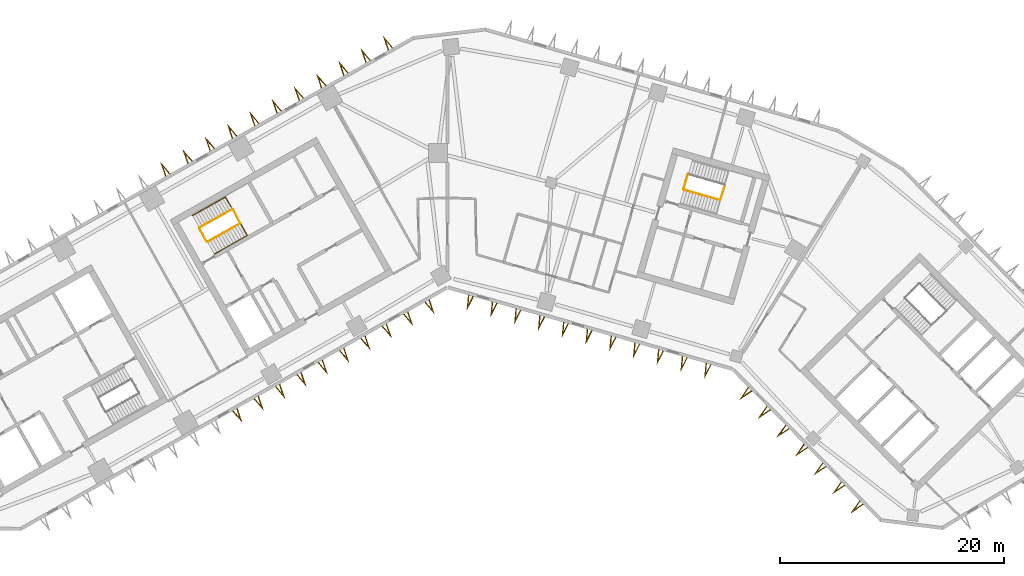
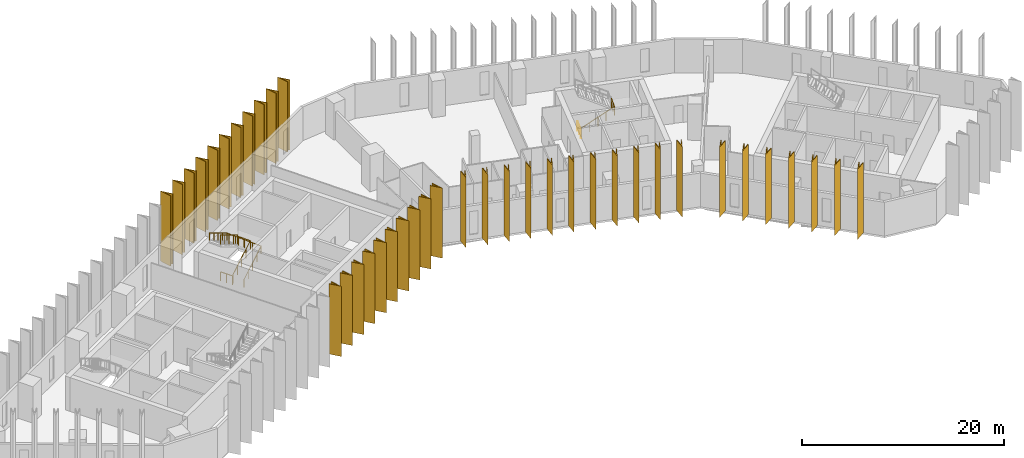
# One storey, part 10 of 11: 39 shading devices, 6 railings.
"""IFC4 building model written with IfcOpenShell, lengths in metres."""

import ifcopenshell
import ifcopenshell.guid

model = None  # the IFC model being written
_history = None  # IfcOwnerHistory: only IFC2X3 demands one
_inside = {}  # id of a spatial element -> (the spatial element, [elements in it])
_under = {}  # id of a project, library or spatial element -> (it, [spatial elements below it])
_declared = {}  # id of a project -> (the project, [libraries it declares])
_typed = {}  # id of a type object -> (the type object, [elements of that type])
_made_of = {}  # id of a material, layer set ... -> (it, [elements and type objects made of it])


def new_model(schema):
    """Start an empty IFC model of exactly this schema.

    Asked for "IFC4X3", IfcOpenShell would pick the latest addendum, in which some entities
    have other attributes; the version numbers below select the first issue.
    IFC2X3 requires an IfcOwnerHistory on every rooted entity: one is made here for all.
    """
    global model, _history
    if schema == "IFC4X3":
        model = ifcopenshell.file(schema_version=(4, 3, 0, 0))
    else:
        model = ifcopenshell.file(schema=schema)
    _inside.clear()
    _under.clear()
    _declared.clear()
    _typed.clear()
    _made_of.clear()
    _history = None
    if model.schema == "IFC2X3":
        org = make("IfcOrganization", Name="unknown")
        user = make(
            "IfcPersonAndOrganization",
            ThePerson=make("IfcPerson", FamilyName="unknown"),
            TheOrganization=org,
        )
        app = make(
            "IfcApplication",
            ApplicationDeveloper=org,
            Version="unknown",
            ApplicationFullName="unknown",
            ApplicationIdentifier="unknown",
        )
        _history = make(
            "IfcOwnerHistory",
            OwningUser=user,
            OwningApplication=app,
            ChangeAction="ADDED",
            CreationDate=0,
        )
    return model


def make(cls, **values):
    """One entity of the class cls with the attributes given. An attribute that is None is left unset."""
    return model.create_entity(
        cls, **{name: value for name, value in values.items() if value is not None}
    )


def rooted(cls, **values):
    """An entity with a GlobalId (a new one), such as an element, a storey or a relation."""
    return make(cls, GlobalId=ifcopenshell.guid.new(), OwnerHistory=_history, **values)


def si_unit(unit_type, name, prefix=None):
    """IfcSIUnit, for example si_unit("LENGTHUNIT", "METRE", prefix="MILLI")."""
    return make("IfcSIUnit", UnitType=unit_type, Prefix=prefix, Name=name)


def assignment(units):
    """IfcUnitAssignment: the units of a project."""
    return None if units is None else make("IfcUnitAssignment", Units=units)


def point(xyz):
    """IfcCartesianPoint."""
    return None if xyz is None else make("IfcCartesianPoint", Coordinates=xyz)


def direction(xyz):
    """IfcDirection."""
    return None if xyz is None else make("IfcDirection", DirectionRatios=xyz)


def frame(location, z_axis=None, x_axis=None):
    """IfcAxis2Placement3D, a coordinate frame: its origin and axes. An axis left out is left unset."""
    return make(
        "IfcAxis2Placement3D",
        Location=point(location),
        Axis=direction(z_axis),
        RefDirection=direction(x_axis),
    )


def frame_2d(location, x_axis=None):
    """IfcAxis2Placement2D, a coordinate frame in the plane: its origin and x axis."""
    return make(
        "IfcAxis2Placement2D", Location=point(location), RefDirection=direction(x_axis)
    )


def origin():
    """The frame at (0, 0, 0) with its axes left unset."""
    return frame((0.0, 0.0, 0.0))


def origin_2d():
    """The frame at (0, 0) in the plane with its x axis left unset."""
    return frame_2d((0.0, 0.0))


def place(relative_to, where):
    """IfcLocalPlacement: puts the frame where relative to a parent placement (None: the world)."""
    return make(
        "IfcLocalPlacement", PlacementRelTo=relative_to, RelativePlacement=where
    )


def context(
    kind, dimensions, precision=None, world=None, true_north=None, identifier=None
):
    """IfcGeometricRepresentationContext, for example the 3D "Model" context."""
    return make(
        "IfcGeometricRepresentationContext",
        ContextIdentifier=identifier,
        ContextType=kind,
        CoordinateSpaceDimension=dimensions,
        Precision=precision,
        WorldCoordinateSystem=world,
        TrueNorth=true_north,
    )


def subcontext(parent, identifier, kind, view, scale=None):
    """IfcGeometricRepresentationSubContext, for example "Body" below "Model"."""
    return make(
        "IfcGeometricRepresentationSubContext",
        ContextIdentifier=identifier,
        ContextType=kind,
        ParentContext=parent,
        TargetScale=scale,
        TargetView=view,
    )


def project(units=None, contexts=None):
    """IfcProject with its units and contexts."""
    return rooted(
        "IfcProject",
        Name="project",
        RepresentationContexts=contexts,
        UnitsInContext=assignment(units),
    )


def spatial(cls, under=None, at=None, **own):
    """A site, building, storey or space (cls), placed at a placement, below another one or the project."""
    s = rooted(cls, ObjectPlacement=at, **own)
    if under is not None:
        _under.setdefault(under.id(), (under, []))[1].append(s)
    return s


def polyline(points):
    """IfcPolyline through the points."""
    return make("IfcPolyline", Points=[point(p) for p in points])


def profile(cls, at=None, kind="AREA", **sizes):
    """A parametric profile (cls). Its sizes go by their IFC names, for example OverallWidth=200.0."""
    return make(cls, ProfileType=kind, Position=at, **sizes)


def circle(**sizes):
    """IfcCircleProfileDef."""
    return profile("IfcCircleProfileDef", **sizes)


def outline(outer, holes=None, kind="AREA"):
    """IfcArbitraryClosedProfileDef: a profile drawn as a closed curve; with holes, ...WithVoids."""
    if holes is None:
        return make("IfcArbitraryClosedProfileDef", ProfileType=kind, OuterCurve=outer)
    return make(
        "IfcArbitraryProfileDefWithVoids",
        ProfileType=kind,
        OuterCurve=outer,
        InnerCurves=holes,
    )


def extrude(swept, where, along, depth):
    """IfcExtrudedAreaSolid: the profile swept, set in the frame where, extruded along a direction by depth."""
    return make(
        "IfcExtrudedAreaSolid",
        SweptArea=swept,
        Position=where,
        ExtrudedDirection=direction(along),
        Depth=depth,
    )


def shape(context_of_items, identifier, shape_type, items):
    """IfcShapeRepresentation: the items that make up one representation, for example the "Body"."""
    return make(
        "IfcShapeRepresentation",
        ContextOfItems=context_of_items,
        RepresentationIdentifier=identifier,
        RepresentationType=shape_type,
        Items=items,
    )


def material(Name=None, Category=None):
    """IfcMaterial."""
    return make("IfcMaterial", Name=Name, Category=Category)


def made_of(thing, what):
    """Note that an element or type object is made of a material, layer set ...; save() writes the relation."""
    if what is not None:
        _made_of.setdefault(what.id(), (what, []))[1].append(thing)
    return thing


def type_object(cls, material=None, **own):
    """A type object (cls), such as IfcWallType, which elements share."""
    return made_of(rooted(cls, **own), material)


def element(
    cls,
    number,
    at=None,
    inside=None,
    cuts=None,
    type_object=None,
    material=None,
    context=None,
    identifier="Body",
    shape_type=None,
    held_by="IfcProductDefinitionShape",
    body=None,
    shapes=None,
    **own,
):
    """One element of the class cls, such as IfcWall. Its Tag is "e" and its number.

    at: its placement. inside: the storey or other place that contains it. cuts: it is an
    opening in that element (IfcRelVoidsElement). A single representation is given by context,
    identifier, shape_type and body (its items); several are given by shapes. held_by: the class
    of the entity that holds the representations. save() writes the other relations.
    """
    e = rooted(cls, Tag="e%d" % number, ObjectPlacement=at, **own)
    if body is not None:
        shapes = [shape(context, identifier, shape_type, body)]
    if shapes is not None:
        e.Representation = make(held_by, Representations=shapes)
    if inside is not None:
        _inside.setdefault(inside.id(), (inside, []))[1].append(e)
    if cuts is not None:
        rooted(
            "IfcRelVoidsElement", RelatingBuildingElement=cuts, RelatedOpeningElement=e
        )
    if type_object is not None:
        _typed.setdefault(type_object.id(), (type_object, []))[1].append(e)
    return made_of(e, material)


def aggregate(whole, parts):
    """IfcRelAggregates: a whole, such as a stair, and the parts it consists of."""
    return rooted("IfcRelAggregates", RelatingObject=whole, RelatedObjects=parts)


def save(model, path):
    """Write the relations noted so far, then the file.

    IfcRelAggregates (storeys below a building ...), IfcRelContainedInSpatialStructure (elements
    in a storey), IfcRelDefinesByType, IfcRelAssociatesMaterial and IfcRelDeclares: one each for
    every whole, place, type object, material and project.
    """
    for whole, parts in _under.values():
        aggregate(whole, parts)
    for where, things in _inside.values():
        rooted(
            "IfcRelContainedInSpatialStructure",
            RelatedElements=things,
            RelatingStructure=where,
        )
    for kind, things in _typed.values():
        rooted("IfcRelDefinesByType", RelatedObjects=things, RelatingType=kind)
    for what, things in _made_of.values():
        rooted("IfcRelAssociatesMaterial", RelatedObjects=things, RelatingMaterial=what)
    for by, libraries in _declared.values():
        rooted("IfcRelDeclares", RelatingContext=by, RelatedDefinitions=libraries)
    model.write(path)


model = new_model("IFC4")

# Units and contexts
model_context = context("Model", 3, precision=1e-05, world=origin(), true_north=direction((0.0, 1.0)))
body_context = subcontext(model_context, "Body", "Model", "MODEL_VIEW")
ifc_project = project(units=[si_unit("LENGTHUNIT", "METRE"), si_unit("AREAUNIT", "SQUARE_METRE"), si_unit("VOLUMEUNIT", "CUBIC_METRE"), si_unit("PLANEANGLEUNIT", "RADIAN"), si_unit("MASSUNIT", "GRAM", prefix="KILO")], contexts=[model_context])

# Site, building, storey
site_placement = place(None, origin())
site = spatial("IfcSite", under=ifc_project, at=site_placement, CompositionType="ELEMENT")
building_placement = place(site_placement, origin())
building = spatial("IfcBuilding", under=site, at=building_placement, Name="Binnacle Exchange Tower", CompositionType="ELEMENT")
storey_placement = place(building_placement, frame((0.0, 0.0, 97.10009765625)))
storey = spatial("IfcBuildingStorey", under=building, at=storey_placement, Name="L19", CompositionType="ELEMENT", Elevation=97.10009765625)

# Railings
ifc_material_1 = material(Name="Steel guard rail", Category="steel")
railing_type_1 = type_object("IfcRailingType", Name="STAIR GUARD 1100", PredefinedType="GUARDRAIL", material=ifc_material_1)
railing_1_placement = place(storey_placement, frame((-21.423828125, 52.07275390625, 0.169189453125)))
element("IfcRailing", 1, at=railing_1_placement, inside=storey, type_object=railing_type_1, Name="L19 STC1 stair guard 1", PredefinedType="GUARDRAIL", context=body_context, shape_type="SweptSolid", body=[
    extrude(circle(Radius=0.02392578125, at=origin_2d()), frame((0.0, 0.0, 1.076171875), z_axis=(0.744895141965, 0.421417011194, 0.517241655469), x_axis=(-0.49240197835, 0.870367905955, 0.0)), (0.0, 0.0, 1.0), 3.926025390625),
    extrude(circle(Radius=0.02392578125, at=origin_2d()), frame((2.924560546875, 1.654541015625, 3.10693359375), z_axis=(-0.461171632143, 0.887310952094, 0.0), x_axis=(-0.887310952094, -0.461171632143, 0.0)), (0.0, 0.0, 1.0), 1.40087890625),
    extrude(circle(Radius=0.02099609375, at=origin_2d()), origin(), (0.0, 0.0, 1.0), 1.052001953125),
    extrude(circle(Radius=0.02099609375, at=origin_2d()), frame((0.731201171875, 0.41357421875, 0.5078125)), (0.0, 0.0, 1.0), 1.052001953125),
    extrude(circle(Radius=0.02099609375, at=origin_2d()), frame((1.46240234375, 0.8271484375, 1.015380859375)), (0.0, 0.0, 1.0), 1.052001953125),
    extrude(circle(Radius=0.02099609375, at=origin_2d()), frame((2.193359375, 1.240966796875, 1.52294921875)), (0.0, 0.0, 1.0), 1.052001953125),
    extrude(circle(Radius=0.02099609375, at=origin_2d()), frame((2.924560546875, 1.654541015625, 2.03076171875)), (0.0, 0.0, 1.0), 1.052001953125),
    extrude(circle(Radius=0.02099609375, at=origin_2d()), frame((2.6015625, 2.27587890625, 2.03076171875)), (0.0, 0.0, 1.0), 1.052001953125),
    extrude(circle(Radius=0.02099609375, at=origin_2d()), frame((2.278564453125, 2.8974609375, 2.03076171875)), (0.0, 0.0, 1.0), 1.052001953125),
])
railing_2_placement = place(storey_placement, frame((-19.21337890625, 54.9892578125, 2.369140625)))
element("IfcRailing", 2, at=railing_2_placement, inside=storey, type_object=railing_type_1, Name="L19 STC1 stair guard 2", PredefinedType="GUARDRAIL", context=body_context, shape_type="SweptSolid", body=[
    extrude(circle(Radius=0.02392578125, at=origin_2d()), frame((0.0, 0.0, 1.076171875), z_axis=(-0.744867460262, -0.421436531824, 0.517265614832), x_axis=(0.492433119026, -0.870350287693, 0.0)), (0.0, 0.0, 1.0), 3.926025390625),
    extrude(circle(Radius=0.02099609375, at=origin_2d()), origin(), (0.0, 0.0, 1.0), 1.052001953125),
    extrude(circle(Radius=0.02099609375, at=origin_2d()), frame((-0.73095703125, -0.41357421875, 0.5078125)), (0.0, 0.0, 1.0), 1.052001953125),
    extrude(circle(Radius=0.02099609375, at=origin_2d()), frame((-1.462158203125, -0.8271484375, 1.015380859375)), (0.0, 0.0, 1.0), 1.052001953125),
    extrude(circle(Radius=0.02099609375, at=origin_2d()), frame((-2.193359375, -1.240966796875, 1.52294921875)), (0.0, 0.0, 1.0), 1.052001953125),
    extrude(circle(Radius=0.02099609375, at=origin_2d()), frame((-2.92431640625, -1.654541015625, 2.03076171875)), (0.0, 0.0, 1.0), 1.052001953125),
])
railing_3_placement = place(storey_placement, frame((-21.491943359375, 52.091552734375, 0.0)))
element("IfcRailing", 3, at=railing_3_placement, inside=storey, type_object=railing_type_1, Name="L19 STC1 stair guard 3", PredefinedType="GUARDRAIL", context=body_context, shape_type="SweptSolid", body=[
    extrude(circle(Radius=0.02392578125, at=origin_2d()), frame((0.0, 0.0, 1.076171875), z_axis=(-0.49241474071, 0.870360685654, 0.0), x_axis=(-0.870360685654, -0.49241474071, 0.0)), (0.0, 0.0, 1.0), 1.35009765625),
    extrude(circle(Radius=0.02099609375, at=origin_2d()), origin(), (0.0, 0.0, 1.0), 1.052001953125),
    extrude(circle(Radius=0.02099609375, at=origin_2d()), frame((-0.33251953125, 0.58740234375, 0.0)), (0.0, 0.0, 1.0), 1.052001953125),
    extrude(circle(Radius=0.02099609375, at=origin_2d()), frame((-0.664794921875, 1.175048828125, 0.0)), (0.0, 0.0, 1.0), 1.052001953125),
])
railing_4_placement = place(storey_placement, frame((21.086669921875, 56.71044921875, 0.169189453125)))
element("IfcRailing", 4, at=railing_4_placement, inside=storey, type_object=railing_type_1, Name="L19 STD1 stair guard 1", PredefinedType="GUARDRAIL", context=body_context, shape_type="SweptSolid", body=[
    extrude(circle(Radius=0.02392578125, at=origin_2d()), frame((0.0, 0.0, 1.076171875), z_axis=(0.82266146106, -0.235934506256, 0.517264950721), x_axis=(0.27568068152, 0.961249271436, 0.0)), (0.0, 0.0, 1.0), 3.926025390625),
    extrude(circle(Radius=0.02392578125, at=origin_2d()), frame((3.229736328125, -0.92626953125, 3.10693359375), z_axis=(0.309842533299, 0.950787886208, 0.0), x_axis=(-0.950787886208, 0.309842533299, 0.0)), (0.0, 0.0, 1.0), 1.40087890625),
    extrude(circle(Radius=0.02099609375, at=origin_2d()), origin(), (0.0, 0.0, 1.0), 1.052001953125),
    extrude(circle(Radius=0.02099609375, at=origin_2d()), frame((0.807373046875, -0.2314453125, 0.5078125)), (0.0, 0.0, 1.0), 1.052001953125),
    extrude(circle(Radius=0.02099609375, at=origin_2d()), frame((1.61474609375, -0.463134765625, 1.015380859375)), (0.0, 0.0, 1.0), 1.052001953125),
    extrude(circle(Radius=0.02099609375, at=origin_2d()), frame((2.42236328125, -0.69482421875, 1.52294921875)), (0.0, 0.0, 1.0), 1.052001953125),
    extrude(circle(Radius=0.02099609375, at=origin_2d()), frame((3.229736328125, -0.92626953125, 2.03076171875)), (0.0, 0.0, 1.0), 1.052001953125),
    extrude(circle(Radius=0.02099609375, at=origin_2d()), frame((3.44677734375, -0.26025390625, 2.03076171875)), (0.0, 0.0, 1.0), 1.052001953125),
    extrude(circle(Radius=0.02099609375, at=origin_2d()), frame((3.663818359375, 0.40576171875, 2.03076171875)), (0.0, 0.0, 1.0), 1.052001953125),
])
railing_5_placement = place(storey_placement, frame((21.05224609375, 56.772216796875, 0.0)))
element("IfcRailing", 5, at=railing_5_placement, inside=storey, type_object=railing_type_1, Name="L19 STD1 stair guard 3", PredefinedType="GUARDRAIL", context=body_context, shape_type="SweptSolid", body=[
    extrude(circle(Radius=0.02392578125, at=origin_2d()), frame((0.0, 0.0, 1.076171875), z_axis=(0.275795817769, 0.961216243569, 0.0), x_axis=(-0.961216243569, 0.275795817769, 0.0)), (0.0, 0.0, 1.0), 1.349853515625),
    extrude(circle(Radius=0.02099609375, at=origin_2d()), origin(), (0.0, 0.0, 1.0), 1.052001953125),
    extrude(circle(Radius=0.02099609375, at=origin_2d()), frame((0.18603515625, 0.64892578125, 0.0)), (0.0, 0.0, 1.0), 1.052001953125),
    extrude(circle(Radius=0.02099609375, at=origin_2d()), frame((0.372314453125, 1.297607421875, 0.0)), (0.0, 0.0, 1.0), 1.052001953125),
])
ifc_material_2 = material(Name="Steel handrail", Category="steel")
railing_type_2 = type_object("IfcRailingType", Name="STAIR HANDRAIL 900", PredefinedType="HANDRAIL", material=ifc_material_2)
railing_6_placement = place(storey_placement, frame((-20.808349609375, 50.984619140625, 0.169189453125)))
element("IfcRailing", 6, at=railing_6_placement, inside=storey, type_object=railing_type_2, Name="L19 STC1 stair handrail 1", PredefinedType="HANDRAIL", context=body_context, shape_type="SweptSolid", body=[
    extrude(circle(Radius=0.02392578125, at=origin_2d()), frame((0.0, 0.0, 0.8759765625), z_axis=(0.744895141965, 0.421417011194, 0.517241655469), x_axis=(-0.49240197835, 0.870367905955, 0.0)), (0.0, 0.0, 1.0), 3.926025390625),
    extrude(circle(Radius=0.02392578125, at=origin_2d()), frame((2.924560546875, 1.654541015625, 2.90673828125), z_axis=(-0.491962556146, 0.869564041126, 0.04279277663), x_axis=(-0.870361318571, -0.492413622004, 0.0)), (0.0, 0.0, 1.0), 3.95361328125),
    extrude(circle(Radius=0.02392578125, at=origin_2d()), frame((0.9794921875, 5.092529296875, 3.07568359375), z_axis=(-0.744895141965, -0.421417011194, 0.517241655469), x_axis=(0.49240197835, -0.870367905955, 0.0)), (0.0, 0.0, 1.0), 3.926025390625),
    extrude(circle(Radius=0.02099609375, at=origin_2d()), origin(), (0.0, 0.0, 1.0), 0.851806640625),
    extrude(circle(Radius=0.02099609375, at=origin_2d()), frame((0.731201171875, 0.41357421875, 0.5078125)), (0.0, 0.0, 1.0), 0.851806640625),
    extrude(circle(Radius=0.02099609375, at=origin_2d()), frame((1.46240234375, 0.8271484375, 1.015380859375)), (0.0, 0.0, 1.0), 0.851806640625),
    extrude(circle(Radius=0.02099609375, at=origin_2d()), frame((2.193359375, 1.240966796875, 1.52294921875)), (0.0, 0.0, 1.0), 0.851806640625),
    extrude(circle(Radius=0.02099609375, at=origin_2d()), frame((2.924560546875, 1.654541015625, 2.03076171875)), (0.0, 0.0, 1.0), 0.851806640625),
    extrude(circle(Radius=0.02099609375, at=origin_2d()), frame((2.438232421875, 2.51416015625, 2.072998046875)), (0.0, 0.0, 1.0), 0.851806640625),
    extrude(circle(Radius=0.02099609375, at=origin_2d()), frame((1.9521484375, 3.37353515625, 2.115234375)), (0.0, 0.0, 1.0), 0.851806640625),
    extrude(circle(Radius=0.02099609375, at=origin_2d()), frame((1.4658203125, 4.23291015625, 2.15771484375)), (0.0, 0.0, 1.0), 0.851806640625),
    extrude(circle(Radius=0.02099609375, at=origin_2d()), frame((0.9794921875, 5.092529296875, 2.199951171875)), (0.0, 0.0, 1.0), 0.851806640625),
    extrude(circle(Radius=0.02099609375, at=origin_2d()), frame((0.248291015625, 4.678955078125, 2.70751953125)), (0.0, 0.0, 1.0), 0.851806640625),
    extrude(circle(Radius=0.02099609375, at=origin_2d()), frame((-0.48291015625, 4.26513671875, 3.21533203125)), (0.0, 0.0, 1.0), 0.851806640625),
    extrude(circle(Radius=0.02099609375, at=origin_2d()), frame((-1.2138671875, 3.8515625, 3.72314453125)), (0.0, 0.0, 1.0), 0.851806640625),
    extrude(circle(Radius=0.02099609375, at=origin_2d()), frame((-1.945068359375, 3.43798828125, 4.230712890625)), (0.0, 0.0, 1.0), 0.851806640625),
])

# Shading devices
ifc_material_3 = material(Name="Bronze aluminium cladding", Category="aluminium")
shading_device_type = type_object("IfcShadingDeviceType", Name="V FIN 1300 DEEP x 8480 HIGH", PredefinedType="USERDEFINED", material=ifc_material_3)
shading_device_1_placement = place(storey_placement, origin())
element("IfcShadingDevice", 7, at=shading_device_1_placement, inside=storey, type_object=shading_device_type, Name="V fin FN-F03-01 L19", ObjectType="FIN", PredefinedType="USERDEFINED", context=body_context, shape_type="SweptSolid", body=[
    extrude(outline(polyline([(-4.88916015625, 69.40625), (-5.746826171875, 70.41455078125), (-5.32421875, 69.159912109375), (-5.25341796875, 69.2001953125), (-5.5380859375, 70.0458984375), (-4.9599609375, 69.3662109375), (-4.88916015625, 69.40625)])), origin(), (0.0, 0.0, 1.0), 8.47998046875),
])
shading_device_2_placement = place(storey_placement, origin())
element("IfcShadingDevice", 8, at=shading_device_2_placement, inside=storey, type_object=shading_device_type, Name="V fin FN-F03-02 L19", ObjectType="FIN", PredefinedType="USERDEFINED", context=body_context, shape_type="SweptSolid", body=[
    extrude(outline(polyline([(-6.87548828125, 68.2822265625), (-7.7333984375, 69.290771484375), (-7.310791015625, 68.0361328125), (-7.239990234375, 68.076171875), (-7.524658203125, 68.922119140625), (-6.946533203125, 68.2421875), (-6.87548828125, 68.2822265625)])), origin(), (0.0, 0.0, 1.0), 8.47998046875),
])
shading_device_3_placement = place(storey_placement, origin())
element("IfcShadingDevice", 9, at=shading_device_3_placement, inside=storey, type_object=shading_device_type, Name="V fin FN-F03-03 L19", ObjectType="FIN", PredefinedType="USERDEFINED", context=body_context, shape_type="SweptSolid", body=[
    extrude(outline(polyline([(-8.862060546875, 67.158203125), (-9.719970703125, 68.166748046875), (-9.29736328125, 66.912109375), (-9.226318359375, 66.9521484375), (-9.51123046875, 67.798095703125), (-8.93310546875, 67.1181640625), (-8.862060546875, 67.158203125)])), origin(), (0.0, 0.0, 1.0), 8.47998046875),
])
shading_device_4_placement = place(storey_placement, origin())
element("IfcShadingDevice", 10, at=shading_device_4_placement, inside=storey, type_object=shading_device_type, Name="V fin FN-F03-04 L19", ObjectType="FIN", PredefinedType="USERDEFINED", context=body_context, shape_type="SweptSolid", body=[
    extrude(outline(polyline([(-10.8486328125, 66.034423828125), (-11.70654296875, 67.042724609375), (-11.283935546875, 65.7880859375), (-11.212890625, 65.828369140625), (-11.497802734375, 66.674072265625), (-10.919677734375, 65.994384765625), (-10.8486328125, 66.034423828125)])), origin(), (0.0, 0.0, 1.0), 8.47998046875),
])
shading_device_5_placement = place(storey_placement, origin())
element("IfcShadingDevice", 11, at=shading_device_5_placement, inside=storey, type_object=shading_device_type, Name="V fin FN-F03-05 L19", ObjectType="FIN", PredefinedType="USERDEFINED", context=body_context, shape_type="SweptSolid", body=[
    extrude(outline(polyline([(-12.835205078125, 64.910400390625), (-13.693115234375, 65.9189453125), (-13.2705078125, 64.664306640625), (-13.199462890625, 64.704345703125), (-13.484375, 65.55029296875), (-12.906005859375, 64.870361328125), (-12.835205078125, 64.910400390625)])), origin(), (0.0, 0.0, 1.0), 8.47998046875),
])
shading_device_6_placement = place(storey_placement, origin())
element("IfcShadingDevice", 12, at=shading_device_6_placement, inside=storey, type_object=shading_device_type, Name="V fin FN-F03-06 L19", ObjectType="FIN", PredefinedType="USERDEFINED", context=body_context, shape_type="SweptSolid", body=[
    extrude(outline(polyline([(-14.82177734375, 63.78662109375), (-15.6796875, 64.794921875), (-15.257080078125, 63.540283203125), (-15.18603515625, 63.580322265625), (-15.470947265625, 64.42626953125), (-14.892578125, 63.746337890625), (-14.82177734375, 63.78662109375)])), origin(), (0.0, 0.0, 1.0), 8.47998046875),
])
shading_device_7_placement = place(storey_placement, origin())
element("IfcShadingDevice", 13, at=shading_device_7_placement, inside=storey, type_object=shading_device_type, Name="V fin FN-F03-07 L19", ObjectType="FIN", PredefinedType="USERDEFINED", context=body_context, shape_type="SweptSolid", body=[
    extrude(outline(polyline([(-16.808349609375, 62.66259765625), (-17.666015625, 63.6708984375), (-17.243408203125, 62.41650390625), (-17.172607421875, 62.45654296875), (-17.45751953125, 63.30224609375), (-16.879150390625, 62.62255859375), (-16.808349609375, 62.66259765625)])), origin(), (0.0, 0.0, 1.0), 8.47998046875),
])
shading_device_8_placement = place(storey_placement, origin())
element("IfcShadingDevice", 14, at=shading_device_8_placement, inside=storey, type_object=shading_device_type, Name="V fin FN-F03-08 L19", ObjectType="FIN", PredefinedType="USERDEFINED", context=body_context, shape_type="SweptSolid", body=[
    extrude(outline(polyline([(-18.794921875, 61.53857421875), (-19.652587890625, 62.547119140625), (-19.22998046875, 61.29248046875), (-19.1591796875, 61.33251953125), (-19.444091796875, 62.17822265625), (-18.86572265625, 61.49853515625), (-18.794921875, 61.53857421875)])), origin(), (0.0, 0.0, 1.0), 8.47998046875),
])
shading_device_9_placement = place(storey_placement, origin())
element("IfcShadingDevice", 15, at=shading_device_9_placement, inside=storey, type_object=shading_device_type, Name="V fin FN-F03-09 L19", ObjectType="FIN", PredefinedType="USERDEFINED", context=body_context, shape_type="SweptSolid", body=[
    extrude(outline(polyline([(-20.781494140625, 60.414794921875), (-21.639404296875, 61.423095703125), (-21.216796875, 60.16845703125), (-21.145751953125, 60.20849609375), (-21.4306640625, 61.054443359375), (-20.852294921875, 60.37451171875), (-20.781494140625, 60.414794921875)])), origin(), (0.0, 0.0, 1.0), 8.47998046875),
])
shading_device_10_placement = place(storey_placement, origin())
element("IfcShadingDevice", 16, at=shading_device_10_placement, inside=storey, type_object=shading_device_type, Name="V fin FN-F03-10 L19", ObjectType="FIN", PredefinedType="USERDEFINED", context=body_context, shape_type="SweptSolid", body=[
    extrude(outline(polyline([(-22.76806640625, 59.290771484375), (-23.625732421875, 60.29931640625), (-23.203125, 59.044677734375), (-23.13232421875, 59.084716796875), (-23.4169921875, 59.930419921875), (-22.8388671875, 59.250732421875), (-22.76806640625, 59.290771484375)])), origin(), (0.0, 0.0, 1.0), 8.47998046875),
])
shading_device_11_placement = place(storey_placement, origin())
element("IfcShadingDevice", 17, at=shading_device_11_placement, inside=storey, type_object=shading_device_type, Name="V fin FN-F03-11 L19", ObjectType="FIN", PredefinedType="USERDEFINED", context=body_context, shape_type="SweptSolid", body=[
    extrude(outline(polyline([(-24.754638671875, 58.166748046875), (-25.6123046875, 59.17529296875), (-25.189697265625, 57.920654296875), (-25.118896484375, 57.960693359375), (-25.40380859375, 58.806396484375), (-24.825439453125, 58.126708984375), (-24.754638671875, 58.166748046875)])), origin(), (0.0, 0.0, 1.0), 8.47998046875),
])
shading_device_12_placement = place(storey_placement, origin())
element("IfcShadingDevice", 18, at=shading_device_12_placement, inside=storey, type_object=shading_device_type, Name="V fin FN-F07-10 L19", ObjectType="FIN", PredefinedType="USERDEFINED", context=body_context, shape_type="SweptSolid", body=[
    extrude(outline(polyline([(-19.192626953125, 36.968994140625), (-18.334716796875, 35.960693359375), (-18.75732421875, 37.215087890625), (-18.828369140625, 37.175048828125), (-18.54345703125, 36.329345703125), (-19.12158203125, 37.009033203125), (-19.192626953125, 36.968994140625)])), origin(), (0.0, 0.0, 1.0), 8.47998046875),
])
shading_device_13_placement = place(storey_placement, origin())
element("IfcShadingDevice", 19, at=shading_device_13_placement, inside=storey, type_object=shading_device_type, Name="V fin FN-F07-11 L19", ObjectType="FIN", PredefinedType="USERDEFINED", context=body_context, shape_type="SweptSolid", body=[
    extrude(outline(polyline([(-17.28759765625, 38.046875), (-16.429931640625, 37.038330078125), (-16.8525390625, 38.29296875), (-16.92333984375, 38.2529296875), (-16.638671875, 37.406982421875), (-17.216796875, 38.0869140625), (-17.28759765625, 38.046875)])), origin(), (0.0, 0.0, 1.0), 8.47998046875),
])
shading_device_14_placement = place(storey_placement, origin())
element("IfcShadingDevice", 20, at=shading_device_14_placement, inside=storey, type_object=shading_device_type, Name="V fin FN-F07-12 L19", ObjectType="FIN", PredefinedType="USERDEFINED", context=body_context, shape_type="SweptSolid", body=[
    extrude(outline(polyline([(-15.3828125, 39.12451171875), (-14.525146484375, 38.1162109375), (-14.94775390625, 39.37060546875), (-15.0185546875, 39.33056640625), (-14.73388671875, 38.48486328125), (-15.31201171875, 39.16455078125), (-15.3828125, 39.12451171875)])), origin(), (0.0, 0.0, 1.0), 8.47998046875),
])
shading_device_15_placement = place(storey_placement, origin())
element("IfcShadingDevice", 21, at=shading_device_15_placement, inside=storey, type_object=shading_device_type, Name="V fin FN-F07-13 L19", ObjectType="FIN", PredefinedType="USERDEFINED", context=body_context, shape_type="SweptSolid", body=[
    extrude(outline(polyline([(-13.477783203125, 40.2021484375), (-12.6201171875, 39.19384765625), (-13.042724609375, 40.448486328125), (-13.113525390625, 40.408203125), (-12.828857421875, 39.5625), (-13.406982421875, 40.2421875), (-13.477783203125, 40.2021484375)])), origin(), (0.0, 0.0, 1.0), 8.47998046875),
])
shading_device_16_placement = place(storey_placement, origin())
element("IfcShadingDevice", 22, at=shading_device_16_placement, inside=storey, type_object=shading_device_type, Name="V fin FN-F07-14 L19", ObjectType="FIN", PredefinedType="USERDEFINED", context=body_context, shape_type="SweptSolid", body=[
    extrude(outline(polyline([(-11.572998046875, 41.280029296875), (-10.715087890625, 40.271484375), (-11.1376953125, 41.526123046875), (-11.208740234375, 41.486083984375), (-10.923828125, 40.640380859375), (-11.502197265625, 41.320068359375), (-11.572998046875, 41.280029296875)])), origin(), (0.0, 0.0, 1.0), 8.47998046875),
])
shading_device_17_placement = place(storey_placement, origin())
element("IfcShadingDevice", 23, at=shading_device_17_placement, inside=storey, type_object=shading_device_type, Name="V fin FN-F07-15 L19", ObjectType="FIN", PredefinedType="USERDEFINED", context=body_context, shape_type="SweptSolid", body=[
    extrude(outline(polyline([(-9.668212890625, 42.357666015625), (-8.810302734375, 41.349365234375), (-9.23291015625, 42.60400390625), (-9.303955078125, 42.563720703125), (-9.01904296875, 41.718017578125), (-9.597412109375, 42.397705078125), (-9.668212890625, 42.357666015625)])), origin(), (0.0, 0.0, 1.0), 8.47998046875),
])
shading_device_18_placement = place(storey_placement, origin())
element("IfcShadingDevice", 24, at=shading_device_18_placement, inside=storey, type_object=shading_device_type, Name="V fin FN-F07-16 L19", ObjectType="FIN", PredefinedType="USERDEFINED", context=body_context, shape_type="SweptSolid", body=[
    extrude(outline(polyline([(-7.76318359375, 43.435302734375), (-6.905517578125, 42.427001953125), (-7.327880859375, 43.681640625), (-7.39892578125, 43.6416015625), (-7.114013671875, 42.795654296875), (-7.6923828125, 43.4755859375), (-7.76318359375, 43.435302734375)])), origin(), (0.0, 0.0, 1.0), 8.47998046875),
])
shading_device_19_placement = place(storey_placement, origin())
element("IfcShadingDevice", 25, at=shading_device_19_placement, inside=storey, type_object=shading_device_type, Name="V fin FN-F07-17 L19", ObjectType="FIN", PredefinedType="USERDEFINED", context=body_context, shape_type="SweptSolid", body=[
    extrude(outline(polyline([(-5.8583984375, 44.51318359375), (-5.00048828125, 43.5048828125), (-5.423095703125, 44.759521484375), (-5.494140625, 44.71923828125), (-5.209228515625, 43.87353515625), (-5.78759765625, 44.55322265625), (-5.8583984375, 44.51318359375)])), origin(), (0.0, 0.0, 1.0), 8.47998046875),
])
shading_device_20_placement = place(storey_placement, origin())
element("IfcShadingDevice", 26, at=shading_device_20_placement, inside=storey, type_object=shading_device_type, Name="V fin FN-F07-18 L19", ObjectType="FIN", PredefinedType="USERDEFINED", context=body_context, shape_type="SweptSolid", body=[
    extrude(outline(polyline([(-3.95361328125, 45.5908203125), (-3.095703125, 44.58251953125), (-3.518310546875, 45.837158203125), (-3.589111328125, 45.797119140625), (-3.304443359375, 44.951171875), (-3.882568359375, 45.631103515625), (-3.95361328125, 45.5908203125)])), origin(), (0.0, 0.0, 1.0), 8.47998046875),
])
shading_device_21_placement = place(storey_placement, origin())
element("IfcShadingDevice", 27, at=shading_device_21_placement, inside=storey, type_object=shading_device_type, Name="V fin FN-F07-19 L19", ObjectType="FIN", PredefinedType="USERDEFINED", context=body_context, shape_type="SweptSolid", body=[
    extrude(outline(polyline([(-2.048583984375, 46.668701171875), (-1.19091796875, 45.660400390625), (-1.61328125, 46.914794921875), (-1.684326171875, 46.874755859375), (-1.3994140625, 46.029052734375), (-1.977783203125, 46.708740234375), (-2.048583984375, 46.668701171875)])), origin(), (0.0, 0.0, 1.0), 8.47998046875),
])
shading_device_22_placement = place(storey_placement, origin())
element("IfcShadingDevice", 28, at=shading_device_22_placement, inside=storey, type_object=shading_device_type, Name="V fin FN-F08-01 L19", ObjectType="FIN", PredefinedType="USERDEFINED", context=body_context, shape_type="SweptSolid", body=[
    extrude(outline(polyline([(1.837890625, 47.31689453125), (1.719970703125, 45.998291015625), (2.318603515625, 47.17919921875), (2.240234375, 47.201416015625), (1.836669921875, 46.405517578125), (1.916259765625, 47.29443359375), (1.837890625, 47.31689453125)])), origin(), (0.0, 0.0, 1.0), 8.47998046875),
])
shading_device_23_placement = place(storey_placement, origin())
element("IfcShadingDevice", 29, at=shading_device_23_placement, inside=storey, type_object=shading_device_type, Name="V fin FN-F08-02 L19", ObjectType="FIN", PredefinedType="USERDEFINED", context=body_context, shape_type="SweptSolid", body=[
    extrude(outline(polyline([(3.957763671875, 46.708984375), (3.839599609375, 45.390625), (4.438232421875, 46.5712890625), (4.360107421875, 46.59375), (3.956298828125, 45.7978515625), (4.035888671875, 46.686767578125), (3.957763671875, 46.708984375)])), origin(), (0.0, 0.0, 1.0), 8.47998046875),
])
shading_device_24_placement = place(storey_placement, origin())
element("IfcShadingDevice", 30, at=shading_device_24_placement, inside=storey, type_object=shading_device_type, Name="V fin FN-F08-03 L19", ObjectType="FIN", PredefinedType="USERDEFINED", context=body_context, shape_type="SweptSolid", body=[
    extrude(outline(polyline([(6.077392578125, 46.101318359375), (5.95947265625, 44.78271484375), (6.55810546875, 45.96337890625), (6.479736328125, 45.98583984375), (6.076171875, 45.18994140625), (6.15576171875, 46.078857421875), (6.077392578125, 46.101318359375)])), origin(), (0.0, 0.0, 1.0), 8.47998046875),
])
shading_device_25_placement = place(storey_placement, origin())
element("IfcShadingDevice", 31, at=shading_device_25_placement, inside=storey, type_object=shading_device_type, Name="V fin FN-F08-04 L19", ObjectType="FIN", PredefinedType="USERDEFINED", context=body_context, shape_type="SweptSolid", body=[
    extrude(outline(polyline([(8.197021484375, 45.493408203125), (8.0791015625, 44.175048828125), (8.677734375, 45.355712890625), (8.599365234375, 45.378173828125), (8.19580078125, 44.582275390625), (8.275390625, 45.47119140625), (8.197021484375, 45.493408203125)])), origin(), (0.0, 0.0, 1.0), 8.47998046875),
])
shading_device_26_placement = place(storey_placement, origin())
element("IfcShadingDevice", 32, at=shading_device_26_placement, inside=storey, type_object=shading_device_type, Name="V fin FN-F08-05 L19", ObjectType="FIN", PredefinedType="USERDEFINED", context=body_context, shape_type="SweptSolid", body=[
    extrude(outline(polyline([(10.316650390625, 44.8857421875), (10.19873046875, 43.567138671875), (10.79736328125, 44.747802734375), (10.718994140625, 44.770263671875), (10.3154296875, 43.974365234375), (10.39501953125, 44.86328125), (10.316650390625, 44.8857421875)])), origin(), (0.0, 0.0, 1.0), 8.47998046875),
])
shading_device_27_placement = place(storey_placement, origin())
element("IfcShadingDevice", 33, at=shading_device_27_placement, inside=storey, type_object=shading_device_type, Name="V fin FN-F08-06 L19", ObjectType="FIN", PredefinedType="USERDEFINED", context=body_context, shape_type="SweptSolid", body=[
    extrude(outline(polyline([(12.436279296875, 44.27783203125), (12.318359375, 42.95947265625), (12.9169921875, 44.14013671875), (12.838623046875, 44.16259765625), (12.43505859375, 43.36669921875), (12.5146484375, 44.255615234375), (12.436279296875, 44.27783203125)])), origin(), (0.0, 0.0, 1.0), 8.47998046875),
])
shading_device_28_placement = place(storey_placement, origin())
element("IfcShadingDevice", 34, at=shading_device_28_placement, inside=storey, type_object=shading_device_type, Name="V fin FN-F08-07 L19", ObjectType="FIN", PredefinedType="USERDEFINED", context=body_context, shape_type="SweptSolid", body=[
    extrude(outline(polyline([(14.55615234375, 43.670166015625), (14.43798828125, 42.3515625), (15.03662109375, 43.5322265625), (14.95849609375, 43.5546875), (14.5546875, 42.7587890625), (14.634521484375, 43.647705078125), (14.55615234375, 43.670166015625)])), origin(), (0.0, 0.0, 1.0), 8.47998046875),
])
shading_device_29_placement = place(storey_placement, origin())
element("IfcShadingDevice", 35, at=shading_device_29_placement, inside=storey, type_object=shading_device_type, Name="V fin FN-F08-08 L19", ObjectType="FIN", PredefinedType="USERDEFINED", context=body_context, shape_type="SweptSolid", body=[
    extrude(outline(polyline([(16.67578125, 43.062255859375), (16.557861328125, 41.743896484375), (17.156494140625, 42.924560546875), (17.078125, 42.947021484375), (16.674560546875, 42.15087890625), (16.754150390625, 43.039794921875), (16.67578125, 43.062255859375)])), origin(), (0.0, 0.0, 1.0), 8.47998046875),
])
shading_device_30_placement = place(storey_placement, origin())
element("IfcShadingDevice", 36, at=shading_device_30_placement, inside=storey, type_object=shading_device_type, Name="V fin FN-F08-09 L19", ObjectType="FIN", PredefinedType="USERDEFINED", context=body_context, shape_type="SweptSolid", body=[
    extrude(outline(polyline([(18.79541015625, 42.454345703125), (18.677490234375, 41.135986328125), (19.276123046875, 42.316650390625), (19.19775390625, 42.339111328125), (18.794189453125, 41.543212890625), (18.873779296875, 42.431884765625), (18.79541015625, 42.454345703125)])), origin(), (0.0, 0.0, 1.0), 8.47998046875),
])
shading_device_31_placement = place(storey_placement, origin())
element("IfcShadingDevice", 37, at=shading_device_31_placement, inside=storey, type_object=shading_device_type, Name="V fin FN-F08-10 L19", ObjectType="FIN", PredefinedType="USERDEFINED", context=body_context, shape_type="SweptSolid", body=[
    extrude(outline(polyline([(20.9150390625, 41.8466796875), (20.797119140625, 40.528076171875), (21.395751953125, 41.708740234375), (21.3173828125, 41.731201171875), (20.913818359375, 40.935302734375), (20.993408203125, 41.82421875), (20.9150390625, 41.8466796875)])), origin(), (0.0, 0.0, 1.0), 8.47998046875),
])
shading_device_32_placement = place(storey_placement, origin())
element("IfcShadingDevice", 38, at=shading_device_32_placement, inside=storey, type_object=shading_device_type, Name="V fin FN-F08-11 L19", ObjectType="FIN", PredefinedType="USERDEFINED", context=body_context, shape_type="SweptSolid", body=[
    extrude(outline(polyline([(23.034912109375, 41.23876953125), (22.916748046875, 39.92041015625), (23.515380859375, 41.10107421875), (23.43701171875, 41.123291015625), (23.033447265625, 40.327392578125), (23.113037109375, 41.21630859375), (23.034912109375, 41.23876953125)])), origin(), (0.0, 0.0, 1.0), 8.47998046875),
])
shading_device_33_placement = place(storey_placement, origin())
element("IfcShadingDevice", 39, at=shading_device_33_placement, inside=storey, type_object=shading_device_type, Name="V fin FN-F09-01 L19", ObjectType="FIN", PredefinedType="USERDEFINED", context=body_context, shape_type="SweptSolid", body=[
    extrude(outline(polyline([(26.810791015625, 39.093505859375), (26.05859375, 38.00390625), (27.1611328125, 38.73681640625), (27.10400390625, 38.794921875), (26.36083984375, 38.30078125), (26.867919921875, 39.035400390625), (26.810791015625, 39.093505859375)])), origin(), (0.0, 0.0, 1.0), 8.47998046875),
])
shading_device_34_placement = place(storey_placement, origin())
element("IfcShadingDevice", 40, at=shading_device_34_placement, inside=storey, type_object=shading_device_type, Name="V fin FN-F09-02 L19", ObjectType="FIN", PredefinedType="USERDEFINED", context=body_context, shape_type="SweptSolid", body=[
    extrude(outline(polyline([(28.467529296875, 37.407470703125), (27.715576171875, 36.31787109375), (28.818115234375, 37.05078125), (28.760986328125, 37.10888671875), (28.017578125, 36.61474609375), (28.524658203125, 37.349365234375), (28.467529296875, 37.407470703125)])), origin(), (0.0, 0.0, 1.0), 8.47998046875),
])
shading_device_35_placement = place(storey_placement, origin())
element("IfcShadingDevice", 41, at=shading_device_35_placement, inside=storey, type_object=shading_device_type, Name="V fin FN-F09-03 L19", ObjectType="FIN", PredefinedType="USERDEFINED", context=body_context, shape_type="SweptSolid", body=[
    extrude(outline(polyline([(30.12451171875, 35.721435546875), (29.372314453125, 34.632080078125), (30.474853515625, 35.364990234375), (30.417724609375, 35.423095703125), (29.674560546875, 34.928955078125), (30.181396484375, 35.663330078125), (30.12451171875, 35.721435546875)])), origin(), (0.0, 0.0, 1.0), 8.47998046875),
])
shading_device_36_placement = place(storey_placement, origin())
element("IfcShadingDevice", 42, at=shading_device_36_placement, inside=storey, type_object=shading_device_type, Name="V fin FN-F09-04 L19", ObjectType="FIN", PredefinedType="USERDEFINED", context=body_context, shape_type="SweptSolid", body=[
    extrude(outline(polyline([(31.78125, 34.035400390625), (31.029296875, 32.94580078125), (32.131591796875, 33.6787109375), (32.07470703125, 33.73681640625), (31.331298828125, 33.242919921875), (31.83837890625, 33.977294921875), (31.78125, 34.035400390625)])), origin(), (0.0, 0.0, 1.0), 8.47998046875),
])
shading_device_37_placement = place(storey_placement, origin())
element("IfcShadingDevice", 43, at=shading_device_37_placement, inside=storey, type_object=shading_device_type, Name="V fin FN-F09-05 L19", ObjectType="FIN", PredefinedType="USERDEFINED", context=body_context, shape_type="SweptSolid", body=[
    extrude(outline(polyline([(33.43798828125, 32.349365234375), (32.68603515625, 31.260009765625), (33.78857421875, 31.992919921875), (33.7314453125, 32.05078125), (32.98828125, 31.556884765625), (33.4951171875, 32.291259765625), (33.43798828125, 32.349365234375)])), origin(), (0.0, 0.0, 1.0), 8.47998046875),
])
shading_device_38_placement = place(storey_placement, origin())
element("IfcShadingDevice", 44, at=shading_device_38_placement, inside=storey, type_object=shading_device_type, Name="V fin FN-F09-06 L19", ObjectType="FIN", PredefinedType="USERDEFINED", context=body_context, shape_type="SweptSolid", body=[
    extrude(outline(polyline([(35.094970703125, 30.663330078125), (34.343017578125, 29.573974609375), (35.4453125, 30.306884765625), (35.38818359375, 30.364990234375), (34.64501953125, 29.870849609375), (35.152099609375, 30.605224609375), (35.094970703125, 30.663330078125)])), origin(), (0.0, 0.0, 1.0), 8.47998046875),
])
shading_device_39_placement = place(storey_placement, origin())
element("IfcShadingDevice", 45, at=shading_device_39_placement, inside=storey, type_object=shading_device_type, Name="V fin FN-F09-07 L19", ObjectType="FIN", PredefinedType="USERDEFINED", context=body_context, shape_type="SweptSolid", body=[
    extrude(outline(polyline([(36.751708984375, 28.977294921875), (35.999755859375, 27.887939453125), (37.102294921875, 28.620849609375), (37.045166015625, 28.678955078125), (36.302001953125, 28.184814453125), (36.808837890625, 28.919189453125), (36.751708984375, 28.977294921875)])), origin(), (0.0, 0.0, 1.0), 8.47998046875),
])

save(model, "model.ifc")
